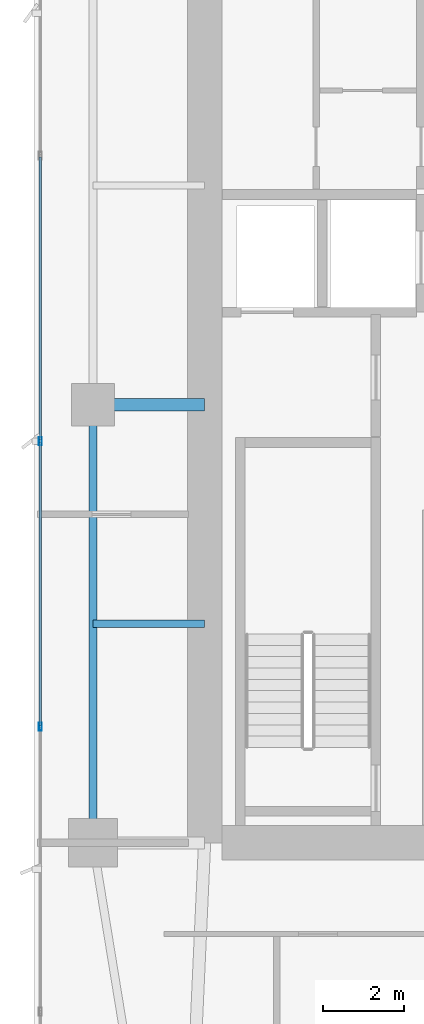
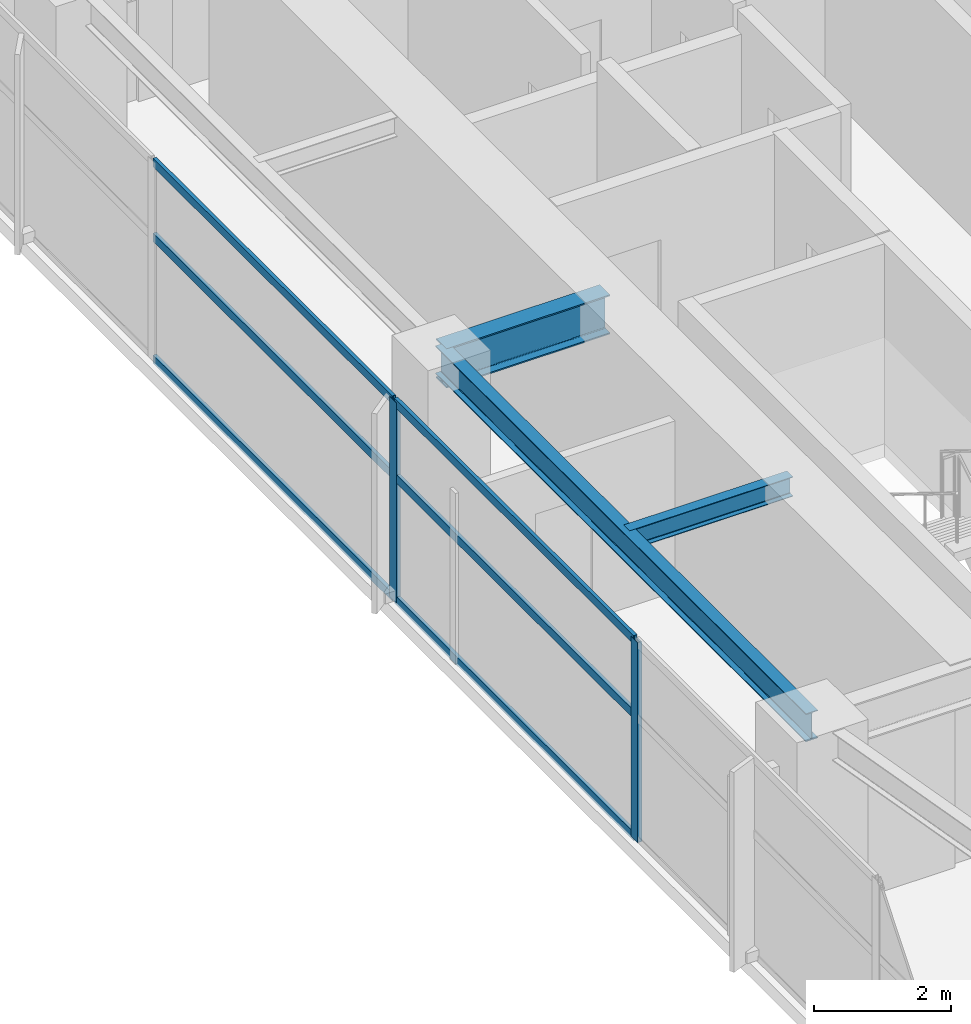
# One storey, part 8 of 28: 8 members, 3 beams, 1 element without a shape of its own.
"""IFC4 building model written with IfcOpenShell, lengths in metres."""

from ifc_helpers import new_model, si_unit, direction, frame, origin, origin_2d, place, context, subcontext, project, spatial, hollow_rectangle, i_section, extrude, material, layer, layer_set, material_profile, profile_set, type_object, element, aggregate, save


model = new_model("IFC4")

# Units and contexts
model_context = context("Model", 3, precision=1e-05, world=origin(), true_north=direction((0.0, 1.0)))
body_context = subcontext(model_context, "Body", "Model", "MODEL_VIEW")
ifc_project = project(units=[si_unit("LENGTHUNIT", "METRE"), si_unit("AREAUNIT", "SQUARE_METRE"), si_unit("VOLUMEUNIT", "CUBIC_METRE"), si_unit("PLANEANGLEUNIT", "RADIAN"), si_unit("MASSUNIT", "GRAM", prefix="KILO")], contexts=[model_context])

# Site, building, storey
site_placement = place(None, origin())
site = spatial("IfcSite", under=ifc_project, at=site_placement, CompositionType="ELEMENT")
building_placement = place(site_placement, origin())
building = spatial("IfcBuilding", under=site, at=building_placement, Name="Calvorn Quay Hotel", CompositionType="ELEMENT")
storey_placement = place(building_placement, frame((0.0, 0.0, 116.39990234375)))
storey = spatial("IfcBuildingStorey", under=building, at=storey_placement, Name="L28", CompositionType="ELEMENT", Elevation=116.39990234375)

# Beams
ifc_material_1 = material(Name="Steel Q390GJC", Category="steel")
ifc_material_profile_1 = material_profile(ifc_material_1, i_section(OverallWidth=0.300048828125, OverallDepth=0.699951171875, WebThickness=0.012939453125, FlangeThickness=0.02392578125, FilletRadius=0.02392578125, at=origin_2d()), Name="HN700x300x13x24")
ifc_profile_set_1 = profile_set([ifc_material_profile_1], Name="Steel Q390GJC")
beam_type_1 = type_object("IfcBeamType", Name="BM-GIRD-MAIN", PredefinedType="BEAM", material=ifc_profile_set_1)
beam_1_placement = place(storey_placement, frame((1.449951171875, 27.60009765625, 3.190185546875), z_axis=(1.0, 0.0, 0.0), x_axis=(0.0, 1.0, 0.0)))
element("IfcBeam", 1, at=beam_1_placement, inside=storey, type_object=beam_type_1, Name="Beam BG-L28-W2", PredefinedType="BEAM", context=body_context, shape_type="SweptSolid", body=[
    extrude(i_section(OverallWidth=0.300048828125, OverallDepth=0.699951171875, WebThickness=0.012939453125, FlangeThickness=0.02392578125, FilletRadius=0.02392578125, at=origin_2d()), origin(), (0.0, 0.0, 1.0), 2.75),
])
ifc_material_2 = material(Name="Steel Q355B", Category="steel")
ifc_material_profile_2 = material_profile(ifc_material_2, i_section(OverallWidth=0.175048828125, OverallDepth=0.35009765625, WebThickness=0.007080078125, FlangeThickness=0.010986328125, FilletRadius=0.013916015625, at=origin_2d()), Name="HN350x175x7x11")
ifc_profile_set_2 = profile_set([ifc_material_profile_2], Name="Steel Q355B")
beam_type_2 = type_object("IfcBeamType", Name="BM-JOIST-SEC", PredefinedType="JOIST", material=ifc_profile_set_2)
beam_2_placement = place(storey_placement, frame((1.449951171875, 22.199951171875, 3.364990234375), z_axis=(1.0, 0.0, 0.0), x_axis=(0.0, 1.0, 0.0)))
element("IfcBeam", 2, at=beam_2_placement, inside=storey, type_object=beam_type_2, Name="Beam BJ-L28-W3", PredefinedType="JOIST", context=body_context, shape_type="SweptSolid", body=[
    extrude(i_section(OverallWidth=0.175048828125, OverallDepth=0.35009765625, WebThickness=0.007080078125, FlangeThickness=0.010986328125, FilletRadius=0.013916015625, at=origin_2d()), origin(), (0.0, 0.0, 1.0), 2.75),
])
ifc_material_3 = material(Name="Steel Q355B", Category="steel")
ifc_material_profile_3 = material_profile(ifc_material_3, i_section(OverallWidth=0.199951171875, OverallDepth=0.5, WebThickness=0.010009765625, FlangeThickness=0.01611328125, FilletRadius=0.01611328125, at=origin_2d()), Name="HN500x200x10x16")
ifc_profile_set_3 = profile_set([ifc_material_profile_3], Name="Steel Q355B")
beam_type_3 = type_object("IfcBeamType", Name="BM-SPANDREL-Z1", PredefinedType="SPANDREL", material=ifc_profile_set_3)
beam_3_placement = place(storey_placement, frame((1.449951171875, 16.800048828125, 3.2900390625), z_axis=(0.0, 1.0, 0.0), x_axis=(-1.0, 0.0, 0.0)))
element("IfcBeam", 3, at=beam_3_placement, inside=storey, type_object=beam_type_3, Name="Beam BSP-L28-W2", PredefinedType="SPANDREL", context=body_context, shape_type="SweptSolid", body=[
    extrude(i_section(OverallWidth=0.199951171875, OverallDepth=0.5, WebThickness=0.010009765625, FlangeThickness=0.01611328125, FilletRadius=0.01611328125, at=origin_2d()), origin(), (0.0, 0.0, 1.0), 10.800048828125),
])

# Curtain wall, members
ifc_material_4 = material(Name="Pale Anodised Aluminium and Low-E Glass", Category="aluminium")
ifc_layer = layer(ifc_material_4, 0.219970703125)
ifc_layer_set = layer_set([ifc_layer], Name="CW-SYS-Z2")
curtain_wall_type = type_object("IfcCurtainWallType", Name="CW-SYS-Z2", PredefinedType="NOTDEFINED", material=ifc_layer_set)
curtain_wall_placement = place(storey_placement, origin())
curtain_wall = element("IfcCurtainWall", 4, at=curtain_wall_placement, inside=storey, type_object=curtain_wall_type, Name="Tower West Curtain Wall (L28)", PredefinedType="NOTDEFINED")
ifc_material_5 = material(Name="Pale Anodised Aluminium 6063-T6", Category="aluminium")
ifc_material_profile_4 = material_profile(ifc_material_5, hollow_rectangle(XDim=0.070068359375, YDim=0.199951171875, WallThickness=0.00390625, at=origin_2d()), Name="ALU-M200x70x4")
ifc_profile_set_4 = profile_set([ifc_material_profile_4], Name="Pale Anodised Aluminium 6063-T6")
member_type_1 = type_object("IfcMemberType", Name="CW-SYS-Z2-MUL", PredefinedType="MULLION", material=ifc_profile_set_4)
member_1_placement = place(storey_placement, frame((0.14990234375, 19.666748046875, 0.0), z_axis=(0.0, 0.0, 1.0), x_axis=(-1.0, 0.0, 0.0)))
member_1 = element("IfcMember", 5, at=member_1_placement, type_object=member_type_1, Name="CW-L28-W mullion 3", PredefinedType="MULLION", context=body_context, shape_type="SweptSolid", body=[
    extrude(hollow_rectangle(XDim=0.070068359375, YDim=0.199951171875, WallThickness=0.00390625, at=origin_2d()), origin(), (0.0, 0.0, 1.0), 3.56005859375),
])
member_2_placement = place(storey_placement, frame((0.14990234375, 26.699951171875, 0.0), z_axis=(0.0, 0.0, 1.0), x_axis=(-1.0, 0.0, 0.0)))
member_2 = element("IfcMember", 6, at=member_2_placement, type_object=member_type_1, Name="CW-L28-W mullion 4", PredefinedType="MULLION", context=body_context, shape_type="SweptSolid", body=[
    extrude(hollow_rectangle(XDim=0.070068359375, YDim=0.199951171875, WallThickness=0.00390625, at=origin_2d()), origin(), (0.0, 0.0, 1.0), 3.56005859375),
])
ifc_material_6 = material(Name="Pale Anodised Aluminium 6063-T6", Category="aluminium")
ifc_material_profile_5 = material_profile(ifc_material_6, hollow_rectangle(XDim=0.06005859375, YDim=0.14990234375, WallThickness=0.00341796875, at=origin_2d()), Name="ALU-T150x60x3.5")
ifc_profile_set_5 = profile_set([ifc_material_profile_5], Name="Pale Anodised Aluminium 6063-T6")
member_type_2 = type_object("IfcMemberType", Name="CW-SYS-Z2-TRN", PredefinedType="USERDEFINED", material=ifc_profile_set_5)
member_3_placement = place(storey_placement, frame((0.14990234375, 19.69677734375, 0.030029296875), z_axis=(0.0, 1.0, 0.0), x_axis=(-1.0, 0.0, 0.0)))
member_3 = element("IfcMember", 7, at=member_3_placement, type_object=member_type_2, Name="CW-L28-W transom 3.1", ObjectType="TRANSOM", PredefinedType="USERDEFINED", context=body_context, shape_type="SweptSolid", body=[
    extrude(hollow_rectangle(XDim=0.06005859375, YDim=0.14990234375, WallThickness=0.00341796875, at=origin_2d()), origin(), (0.0, 0.0, 1.0), 6.97314453125),
])
member_4_placement = place(storey_placement, frame((0.14990234375, 19.69677734375, 2.2001953125), z_axis=(0.0, 1.0, 0.0), x_axis=(-1.0, 0.0, 0.0)))
member_4 = element("IfcMember", 8, at=member_4_placement, type_object=member_type_2, Name="CW-L28-W transom 3.2", ObjectType="TRANSOM", PredefinedType="USERDEFINED", context=body_context, shape_type="SweptSolid", body=[
    extrude(hollow_rectangle(XDim=0.06005859375, YDim=0.14990234375, WallThickness=0.00341796875, at=origin_2d()), origin(), (0.0, 0.0, 1.0), 6.97314453125),
])
member_5_placement = place(storey_placement, frame((0.14990234375, 19.69677734375, 3.530029296875), z_axis=(0.0, 1.0, 0.0), x_axis=(-1.0, 0.0, 0.0)))
member_5 = element("IfcMember", 9, at=member_5_placement, type_object=member_type_2, Name="CW-L28-W transom 3.3", ObjectType="TRANSOM", PredefinedType="USERDEFINED", context=body_context, shape_type="SweptSolid", body=[
    extrude(hollow_rectangle(XDim=0.06005859375, YDim=0.14990234375, WallThickness=0.00341796875, at=origin_2d()), origin(), (0.0, 0.0, 1.0), 6.97314453125),
])
member_6_placement = place(storey_placement, frame((0.14990234375, 26.72998046875, 0.030029296875), z_axis=(0.0, 1.0, 0.0), x_axis=(-1.0, 0.0, 0.0)))
member_6 = element("IfcMember", 10, at=member_6_placement, type_object=member_type_2, Name="CW-L28-W transom 4.1", ObjectType="TRANSOM", PredefinedType="USERDEFINED", context=body_context, shape_type="SweptSolid", body=[
    extrude(hollow_rectangle(XDim=0.06005859375, YDim=0.14990234375, WallThickness=0.00341796875, at=origin_2d()), origin(), (0.0, 0.0, 1.0), 6.973388671875),
])
member_7_placement = place(storey_placement, frame((0.14990234375, 26.72998046875, 2.2001953125), z_axis=(0.0, 1.0, 0.0), x_axis=(-1.0, 0.0, 0.0)))
member_7 = element("IfcMember", 11, at=member_7_placement, type_object=member_type_2, Name="CW-L28-W transom 4.2", ObjectType="TRANSOM", PredefinedType="USERDEFINED", context=body_context, shape_type="SweptSolid", body=[
    extrude(hollow_rectangle(XDim=0.06005859375, YDim=0.14990234375, WallThickness=0.00341796875, at=origin_2d()), origin(), (0.0, 0.0, 1.0), 6.973388671875),
])
member_8_placement = place(storey_placement, frame((0.14990234375, 26.72998046875, 3.530029296875), z_axis=(0.0, 1.0, 0.0), x_axis=(-1.0, 0.0, 0.0)))
member_8 = element("IfcMember", 12, at=member_8_placement, type_object=member_type_2, Name="CW-L28-W transom 4.3", ObjectType="TRANSOM", PredefinedType="USERDEFINED", context=body_context, shape_type="SweptSolid", body=[
    extrude(hollow_rectangle(XDim=0.06005859375, YDim=0.14990234375, WallThickness=0.00341796875, at=origin_2d()), origin(), (0.0, 0.0, 1.0), 6.973388671875),
])
aggregate(curtain_wall, [member_1, member_2, member_3, member_4, member_5, member_6, member_7, member_8])

save(model, "model.ifc")
